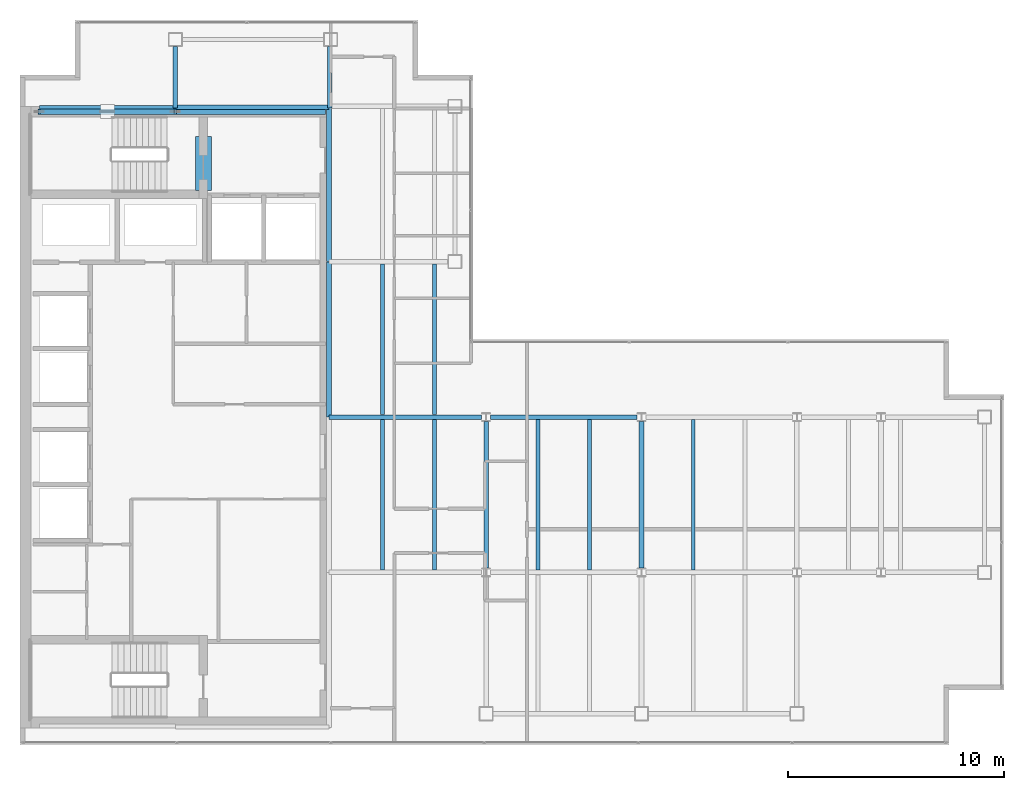
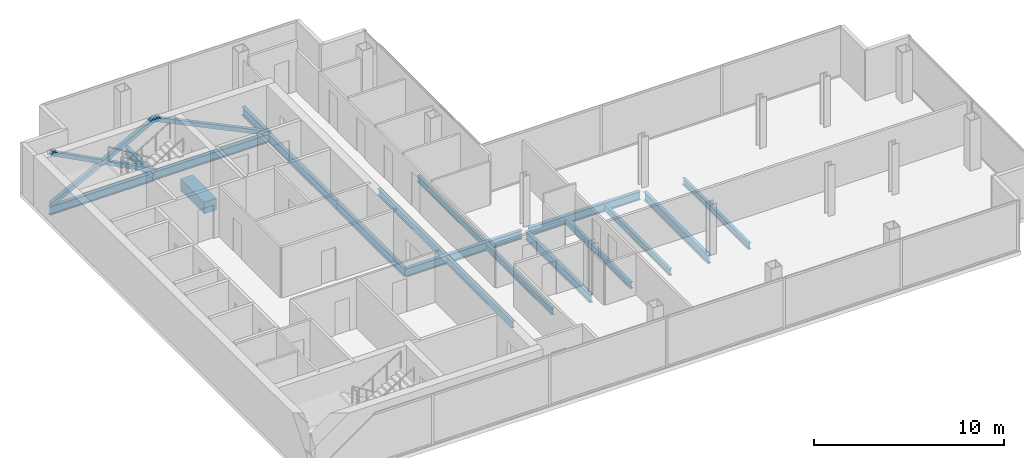
# One storey, part 7 of 23: 18 beams, 4 members.
"""IFC4 building model written with IfcOpenShell, lengths in metres."""

from ifc_helpers import new_model, si_unit, direction, frame, origin, origin_2d, place, context, subcontext, project, spatial, rectangle, hollow_rectangle, i_section, extrude, material, material_profile, profile_set, type_object, element, save


model = new_model("IFC4")

# Units and contexts
model_context = context("Model", 3, precision=1e-05, world=origin(), true_north=direction((0.0, 1.0)))
body_context = subcontext(model_context, "Body", "Model", "MODEL_VIEW")
ifc_project = project(units=[si_unit("LENGTHUNIT", "METRE"), si_unit("AREAUNIT", "SQUARE_METRE"), si_unit("VOLUMEUNIT", "CUBIC_METRE"), si_unit("PLANEANGLEUNIT", "RADIAN"), si_unit("MASSUNIT", "GRAM", prefix="KILO")], contexts=[model_context])

# Site, building, storey
site_placement = place(None, origin())
site = spatial("IfcSite", under=ifc_project, at=site_placement, CompositionType="ELEMENT")
building_placement = place(site_placement, origin())
building = spatial("IfcBuilding", under=site, at=building_placement, Name="Cobrela Telecom Tower", CompositionType="ELEMENT")
storey_placement = place(building_placement, frame((0.0, 0.0, 255.14990234375)))
storey = spatial("IfcBuildingStorey", under=building, at=storey_placement, Name="L66", CompositionType="ELEMENT", Elevation=255.14990234375)

# Beams
ifc_material_1 = material(Name="Concrete C40/50", Category="concrete")
ifc_material_profile_1 = material_profile(ifc_material_1, rectangle(XDim=0.75, YDim=0.75, at=origin_2d()), Name="RC 750x750")
ifc_profile_set_1 = profile_set([ifc_material_profile_1], Name="Concrete C40/50")
beam_type_1 = type_object("IfcBeamType", Name="BM-COUP-RC", PredefinedType="LINTEL", material=ifc_profile_set_1)
beam_1_placement = place(storey_placement, frame((8.5, 32.10009765625, -0.60986328125), z_axis=(0.0, 1.0, 0.0), x_axis=(-1.0, 0.0, 0.0)))
element("IfcBeam", 1, at=beam_1_placement, inside=storey, type_object=beam_type_1, Name="L66 Core Coupling Lintel Beam", PredefinedType="LINTEL", context=body_context, shape_type="SweptSolid", body=[
    extrude(rectangle(XDim=0.75, YDim=0.75, at=origin_2d()), origin(), (0.0, 0.0, 1.0), 2.5),
])
ifc_material_2 = material(Name="Steel ASTM A992 Grade 50", Category="steel")
ifc_material_profile_2 = material_profile(ifc_material_2, i_section(OverallWidth=0.212890625, OverallDepth=0.549072265625, WebThickness=0.0146484375, FlangeThickness=0.023681640625, FilletRadius=0.013916015625, at=origin_2d()), Name="W21X93")
ifc_profile_set_2 = profile_set([ifc_material_profile_2], Name="Steel ASTM A992 Grade 50")
beam_type_2 = type_object("IfcBeamType", Name="BM-GIRD-08", PredefinedType="USERDEFINED", material=ifc_profile_set_2)
beam_2_placement = place(storey_placement, frame((14.324951171875, 21.60009765625, -0.534423828125), z_axis=(1.0, 0.0, 0.0), x_axis=(0.0, 1.0, 0.0)))
element("IfcBeam", 2, at=beam_2_placement, inside=storey, type_object=beam_type_2, Name="L66 Primary Girder X10", ObjectType="GIRDER", PredefinedType="USERDEFINED", context=body_context, shape_type="SweptSolid", body=[
    extrude(i_section(OverallWidth=0.212890625, OverallDepth=0.549072265625, WebThickness=0.0146484375, FlangeThickness=0.023681640625, FilletRadius=0.013916015625, at=origin_2d()), origin(), (0.0, 0.0, 1.0), 7.070556640625),
])
beam_3_placement = place(storey_placement, frame((21.804443359375, 21.60009765625, -0.534423828125), z_axis=(1.0, 0.0, 0.0), x_axis=(0.0, 1.0, 0.0)))
element("IfcBeam", 3, at=beam_3_placement, inside=storey, type_object=beam_type_2, Name="L66 Primary Girder X11", ObjectType="GIRDER", PredefinedType="USERDEFINED", context=body_context, shape_type="SweptSolid", body=[
    extrude(i_section(OverallWidth=0.212890625, OverallDepth=0.549072265625, WebThickness=0.0146484375, FlangeThickness=0.023681640625, FilletRadius=0.013916015625, at=origin_2d()), origin(), (0.0, 0.0, 1.0), 6.791015625),
])
beam_4_placement = place(storey_placement, frame((0.905029296875, 35.919921875, -0.534423828125), z_axis=(1.0, 0.0, 0.0), x_axis=(0.0, 1.0, 0.0)))
element("IfcBeam", 4, at=beam_4_placement, inside=storey, type_object=beam_type_2, Name="L66 Primary Girder X16", ObjectType="GIRDER", PredefinedType="USERDEFINED", context=body_context, shape_type="SweptSolid", body=[
    extrude(i_section(OverallWidth=0.212890625, OverallDepth=0.549072265625, WebThickness=0.0146484375, FlangeThickness=0.023681640625, FilletRadius=0.013916015625, at=origin_2d()), origin(), (0.0, 0.0, 1.0), 6.2900390625),
])
beam_5_placement = place(storey_placement, frame((7.205078125, 35.9599609375, -0.534423828125), z_axis=(1.0, 0.0, 0.0), x_axis=(0.0, 1.0, 0.0)))
element("IfcBeam", 5, at=beam_5_placement, inside=storey, type_object=beam_type_2, Name="L66 Primary Girder X17", ObjectType="GIRDER", PredefinedType="USERDEFINED", context=body_context, shape_type="SweptSolid", body=[
    extrude(i_section(OverallWidth=0.212890625, OverallDepth=0.549072265625, WebThickness=0.0146484375, FlangeThickness=0.023681640625, FilletRadius=0.013916015625, at=origin_2d()), origin(), (0.0, 0.0, 1.0), 7.10986328125),
])
beam_6_placement = place(storey_placement, frame((7.199951171875, 35.925048828125, -0.534423828125), z_axis=(0.0, 1.0, 0.0), x_axis=(-1.0, 0.0, 0.0)))
element("IfcBeam", 6, at=beam_6_placement, inside=storey, type_object=beam_type_2, Name="L66 Primary Girder Y20", ObjectType="GIRDER", PredefinedType="USERDEFINED", context=body_context, shape_type="SweptSolid", body=[
    extrude(i_section(OverallWidth=0.212890625, OverallDepth=0.549072265625, WebThickness=0.0146484375, FlangeThickness=0.023681640625, FilletRadius=0.013916015625, at=origin_2d()), origin(), (0.0, 0.0, 1.0), 2.844970703125),
])
beam_7_placement = place(storey_placement, frame((14.320068359375, 21.60498046875, -0.534423828125), z_axis=(0.0, 1.0, 0.0), x_axis=(-1.0, 0.0, 0.0)))
element("IfcBeam", 7, at=beam_7_placement, inside=storey, type_object=beam_type_2, Name="L66 Primary Girder Y23", ObjectType="GIRDER", PredefinedType="USERDEFINED", context=body_context, shape_type="SweptSolid", body=[
    extrude(i_section(OverallWidth=0.212890625, OverallDepth=0.549072265625, WebThickness=0.0146484375, FlangeThickness=0.023681640625, FilletRadius=0.013916015625, at=origin_2d()), origin(), (0.0, 0.0, 1.0), 7.18994140625),
])
beam_8_placement = place(storey_placement, frame((14.320068359375, 28.804931640625, -0.534423828125), z_axis=(0.0, 1.0, 0.0), x_axis=(-1.0, 0.0, 0.0)))
element("IfcBeam", 8, at=beam_8_placement, inside=storey, type_object=beam_type_2, Name="L66 Primary Girder Y24", ObjectType="GIRDER", PredefinedType="USERDEFINED", context=body_context, shape_type="SweptSolid", body=[
    extrude(i_section(OverallWidth=0.212890625, OverallDepth=0.549072265625, WebThickness=0.0146484375, FlangeThickness=0.023681640625, FilletRadius=0.013916015625, at=origin_2d()), origin(), (0.0, 0.0, 1.0), 7.110107421875),
])
beam_9_placement = place(storey_placement, frame((14.360107421875, 35.925048828125, -0.534423828125), z_axis=(0.0, 1.0, 0.0), x_axis=(-1.0, 0.0, 0.0)))
element("IfcBeam", 9, at=beam_9_placement, inside=storey, type_object=beam_type_2, Name="L66 Primary Girder Y25", ObjectType="GIRDER", PredefinedType="USERDEFINED", context=body_context, shape_type="SweptSolid", body=[
    extrude(i_section(OverallWidth=0.212890625, OverallDepth=0.549072265625, WebThickness=0.0146484375, FlangeThickness=0.023681640625, FilletRadius=0.013916015625, at=origin_2d()), origin(), (0.0, 0.0, 1.0), 2.844970703125),
])
for number, where, z_axis, x_axis, name in (
    (10, (21.60009765625, 14.6044921875, -0.534423828125), (0.0, 1.0, 0.0), (-1.0, 0.0, 0.0), "L66 Primary Girder Y28"),
    (11, (28.800048828125, 14.6044921875, -0.534423828125), (0.0, 1.0, 0.0), (-1.0, 0.0, 0.0), "L66 Primary Girder Y30"),
):
    element("IfcBeam", number, at=place(storey_placement, frame(where, z_axis=z_axis, x_axis=x_axis)), inside=storey, type_object=beam_type_2, Name=name, ObjectType="GIRDER", PredefinedType="USERDEFINED", context=body_context, shape_type="SweptSolid", body=[
        extrude(i_section(OverallWidth=0.212890625, OverallDepth=0.549072265625, WebThickness=0.0146484375, FlangeThickness=0.023681640625, FilletRadius=0.013916015625, at=origin_2d()), origin(), (0.0, 0.0, 1.0), 6.791015625),
    ])
ifc_material_profile_3 = material_profile(ifc_material_2, i_section(OverallWidth=0.179931640625, OverallDepth=0.4169921875, WebThickness=0.010986328125, FlangeThickness=0.01806640625, FilletRadius=0.011962890625, at=origin_2d()), Name="W16X57")
ifc_profile_set_3 = profile_set([ifc_material_profile_3], Name="Steel ASTM A992 Grade 50")
beam_type_3 = type_object("IfcBeamType", Name="BM-JOIST-04", PredefinedType="JOIST", material=ifc_profile_set_3)
for number, where, z_axis, x_axis, name in (
    (12, (16.800048828125, 14.511474609375, -0.468505859375), (0.0, 1.0, 0.0), (-1.0, 0.0, 0.0), "L66 Secondary Composite Floor Beam J01"),
    (13, (16.800048828125, 21.71142578125, -0.468505859375), (0.0, 1.0, 0.0), (-1.0, 0.0, 0.0), "L66 Secondary Composite Floor Beam J02"),
    (14, (19.199951171875, 14.511474609375, -0.468505859375), (0.0, 1.0, 0.0), (-1.0, 0.0, 0.0), "L66 Secondary Composite Floor Beam J04"),
    (15, (19.199951171875, 21.71142578125, -0.468505859375), (0.0, 1.0, 0.0), (-1.0, 0.0, 0.0), "L66 Secondary Composite Floor Beam J05"),
    (16, (24.0, 14.511474609375, -0.468505859375), (0.0, 1.0, 0.0), (-1.0, 0.0, 0.0), "L66 Secondary Composite Floor Beam J08"),
    (17, (26.39990234375, 14.511474609375, -0.468505859375), (0.0, 1.0, 0.0), (-1.0, 0.0, 0.0), "L66 Secondary Composite Floor Beam J10"),
    (18, (31.199951171875, 14.511474609375, -0.468505859375), (0.0, 1.0, 0.0), (-1.0, 0.0, 0.0), "L66 Secondary Composite Floor Beam J12"),
):
    element("IfcBeam", number, at=place(storey_placement, frame(where, z_axis=z_axis, x_axis=x_axis)), inside=storey, type_object=beam_type_3, Name=name, PredefinedType="JOIST", context=body_context, shape_type="SweptSolid", body=[
        extrude(i_section(OverallWidth=0.179931640625, OverallDepth=0.4169921875, WebThickness=0.010986328125, FlangeThickness=0.01806640625, FilletRadius=0.011962890625, at=origin_2d()), origin(), (0.0, 0.0, 1.0), 6.97705078125),
    ])

# Members
ifc_material_3 = material(Name="Steel ASTM A572 Grade 50", Category="steel")
ifc_material_profile_4 = material_profile(ifc_material_3, hollow_rectangle(XDim=0.25, YDim=0.25, WallThickness=0.013916015625, at=origin_2d()), Name="HSS 250x250x14")
ifc_profile_set_4 = profile_set([ifc_material_profile_4], Name="Steel ASTM A572 Grade 50")
member_type = type_object("IfcMemberType", Name="MBR-EXO-04", PredefinedType="BRACE", material=ifc_profile_set_4)
member_1_placement = place(storey_placement, frame((0.89990234375, 35.75, -0.039794921875), z_axis=(0.884686085315, 0.0, 0.466187226821), x_axis=(0.0, 1.0, 0.0)))
element("IfcMember", 19, at=member_1_placement, inside=storey, type_object=member_type, Name="L66 Core Flange Steel X-Brace Continuous A", PredefinedType="BRACE", context=body_context, shape_type="SweptSolid", body=[
    extrude(hollow_rectangle(XDim=0.25, YDim=0.25, WallThickness=0.013916015625, at=origin_2d()), origin(), (0.0, 0.0, 1.0), 7.121337890625),
])
member_2_placement = place(storey_placement, frame((7.199951171875, 35.75, -0.039794921875), z_axis=(-0.884702916743, 0.0, 0.466155284328), x_axis=(0.0, -1.0, 0.0)))
element("IfcMember", 20, at=member_2_placement, inside=storey, type_object=member_type, Name="L66 Core Flange Steel X-Brace Split B1", PredefinedType="BRACE", context=body_context, shape_type="SweptSolid", body=[
    extrude(hollow_rectangle(XDim=0.25, YDim=0.25, WallThickness=0.013916015625, at=origin_2d()), origin(), (0.0, 0.0, 1.0), 3.42041015625),
])
member_3_placement = place(storey_placement, frame((3.926025390625, 35.75, 1.685302734375), z_axis=(-0.884673479945, 0.0, 0.466211147317), x_axis=(0.0, -1.0, 0.0)))
element("IfcMember", 21, at=member_3_placement, inside=storey, type_object=member_type, Name="L66 Core Flange Steel X-Brace Split B2", PredefinedType="BRACE", context=body_context, shape_type="SweptSolid", body=[
    extrude(hollow_rectangle(XDim=0.25, YDim=0.25, WallThickness=0.013916015625, at=origin_2d()), origin(), (0.0, 0.0, 1.0), 3.420654296875),
])
member_4_placement = place(storey_placement, frame((14.10009765625, 35.75, -0.039794921875), z_axis=(-0.901127639633, 0.0, 0.433553891793), x_axis=(0.0, -1.0, 0.0)))
element("IfcMember", 22, at=member_4_placement, inside=storey, type_object=member_type, Name="L66 Core Flange Steel Brace N2", PredefinedType="BRACE", context=body_context, shape_type="SweptSolid", body=[
    extrude(hollow_rectangle(XDim=0.25, YDim=0.25, WallThickness=0.013916015625, at=origin_2d()), origin(), (0.0, 0.0, 1.0), 7.6572265625),
])

save(model, "model.ifc")
